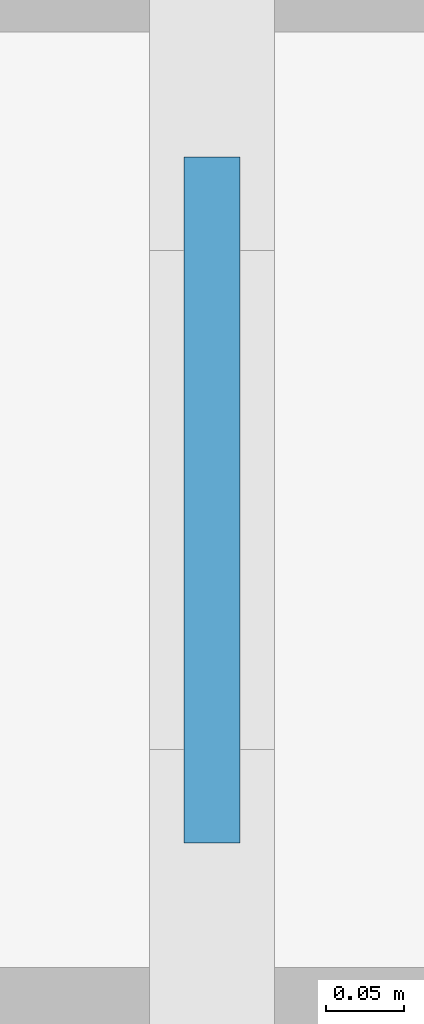
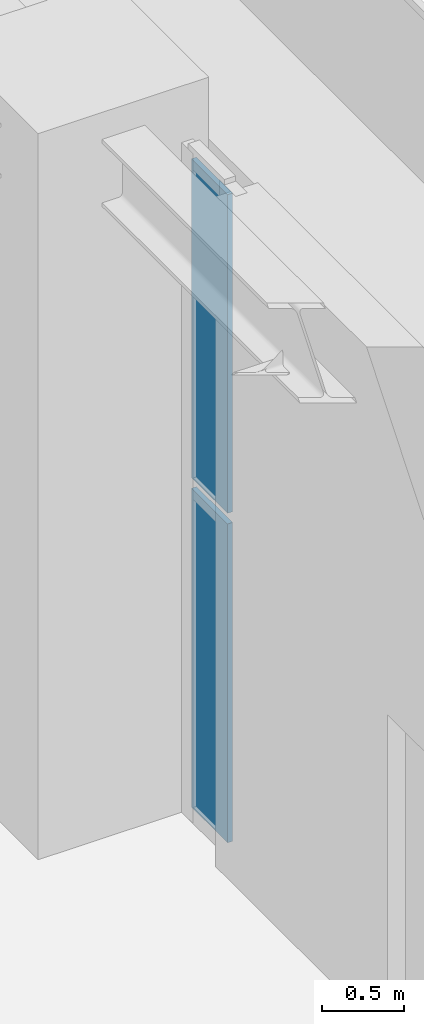
# One storey, part 19 of 36: 2 plates, 1 element without a shape of its own.
"""IFC4 building model written with IfcOpenShell, lengths in metres."""

import ifcopenshell
import ifcopenshell.guid

model = None  # the IFC model being written
_history = None  # IfcOwnerHistory: only IFC2X3 demands one
_inside = {}  # id of a spatial element -> (the spatial element, [elements in it])
_under = {}  # id of a project, library or spatial element -> (it, [spatial elements below it])
_declared = {}  # id of a project -> (the project, [libraries it declares])
_typed = {}  # id of a type object -> (the type object, [elements of that type])
_made_of = {}  # id of a material, layer set ... -> (it, [elements and type objects made of it])


def new_model(schema):
    """Start an empty IFC model of exactly this schema.

    Asked for "IFC4X3", IfcOpenShell would pick the latest addendum, in which some entities
    have other attributes; the version numbers below select the first issue.
    IFC2X3 requires an IfcOwnerHistory on every rooted entity: one is made here for all.
    """
    global model, _history
    if schema == "IFC4X3":
        model = ifcopenshell.file(schema_version=(4, 3, 0, 0))
    else:
        model = ifcopenshell.file(schema=schema)
    _inside.clear()
    _under.clear()
    _declared.clear()
    _typed.clear()
    _made_of.clear()
    _history = None
    if model.schema == "IFC2X3":
        org = make("IfcOrganization", Name="unknown")
        user = make(
            "IfcPersonAndOrganization",
            ThePerson=make("IfcPerson", FamilyName="unknown"),
            TheOrganization=org,
        )
        app = make(
            "IfcApplication",
            ApplicationDeveloper=org,
            Version="unknown",
            ApplicationFullName="unknown",
            ApplicationIdentifier="unknown",
        )
        _history = make(
            "IfcOwnerHistory",
            OwningUser=user,
            OwningApplication=app,
            ChangeAction="ADDED",
            CreationDate=0,
        )
    return model


def make(cls, **values):
    """One entity of the class cls with the attributes given. An attribute that is None is left unset."""
    return model.create_entity(
        cls, **{name: value for name, value in values.items() if value is not None}
    )


def rooted(cls, **values):
    """An entity with a GlobalId (a new one), such as an element, a storey or a relation."""
    return make(cls, GlobalId=ifcopenshell.guid.new(), OwnerHistory=_history, **values)


def si_unit(unit_type, name, prefix=None):
    """IfcSIUnit, for example si_unit("LENGTHUNIT", "METRE", prefix="MILLI")."""
    return make("IfcSIUnit", UnitType=unit_type, Prefix=prefix, Name=name)


def assignment(units):
    """IfcUnitAssignment: the units of a project."""
    return None if units is None else make("IfcUnitAssignment", Units=units)


def point(xyz):
    """IfcCartesianPoint."""
    return None if xyz is None else make("IfcCartesianPoint", Coordinates=xyz)


def direction(xyz):
    """IfcDirection."""
    return None if xyz is None else make("IfcDirection", DirectionRatios=xyz)


def frame(location, z_axis=None, x_axis=None):
    """IfcAxis2Placement3D, a coordinate frame: its origin and axes. An axis left out is left unset."""
    return make(
        "IfcAxis2Placement3D",
        Location=point(location),
        Axis=direction(z_axis),
        RefDirection=direction(x_axis),
    )


def frame_2d(location, x_axis=None):
    """IfcAxis2Placement2D, a coordinate frame in the plane: its origin and x axis."""
    return make(
        "IfcAxis2Placement2D", Location=point(location), RefDirection=direction(x_axis)
    )


def origin():
    """The frame at (0, 0, 0) with its axes left unset."""
    return frame((0.0, 0.0, 0.0))


def origin_2d():
    """The frame at (0, 0) in the plane with its x axis left unset."""
    return frame_2d((0.0, 0.0))


def place(relative_to, where):
    """IfcLocalPlacement: puts the frame where relative to a parent placement (None: the world)."""
    return make(
        "IfcLocalPlacement", PlacementRelTo=relative_to, RelativePlacement=where
    )


def context(
    kind, dimensions, precision=None, world=None, true_north=None, identifier=None
):
    """IfcGeometricRepresentationContext, for example the 3D "Model" context."""
    return make(
        "IfcGeometricRepresentationContext",
        ContextIdentifier=identifier,
        ContextType=kind,
        CoordinateSpaceDimension=dimensions,
        Precision=precision,
        WorldCoordinateSystem=world,
        TrueNorth=true_north,
    )


def subcontext(parent, identifier, kind, view, scale=None):
    """IfcGeometricRepresentationSubContext, for example "Body" below "Model"."""
    return make(
        "IfcGeometricRepresentationSubContext",
        ContextIdentifier=identifier,
        ContextType=kind,
        ParentContext=parent,
        TargetScale=scale,
        TargetView=view,
    )


def project(units=None, contexts=None):
    """IfcProject with its units and contexts."""
    return rooted(
        "IfcProject",
        Name="project",
        RepresentationContexts=contexts,
        UnitsInContext=assignment(units),
    )


def spatial(cls, under=None, at=None, **own):
    """A site, building, storey or space (cls), placed at a placement, below another one or the project."""
    s = rooted(cls, ObjectPlacement=at, **own)
    if under is not None:
        _under.setdefault(under.id(), (under, []))[1].append(s)
    return s


def profile(cls, at=None, kind="AREA", **sizes):
    """A parametric profile (cls). Its sizes go by their IFC names, for example OverallWidth=200.0."""
    return make(cls, ProfileType=kind, Position=at, **sizes)


def rectangle(**sizes):
    """IfcRectangleProfileDef."""
    return profile("IfcRectangleProfileDef", **sizes)


def extrude(swept, where, along, depth):
    """IfcExtrudedAreaSolid: the profile swept, set in the frame where, extruded along a direction by depth."""
    return make(
        "IfcExtrudedAreaSolid",
        SweptArea=swept,
        Position=where,
        ExtrudedDirection=direction(along),
        Depth=depth,
    )


def shape(context_of_items, identifier, shape_type, items):
    """IfcShapeRepresentation: the items that make up one representation, for example the "Body"."""
    return make(
        "IfcShapeRepresentation",
        ContextOfItems=context_of_items,
        RepresentationIdentifier=identifier,
        RepresentationType=shape_type,
        Items=items,
    )


def material(Name=None, Category=None):
    """IfcMaterial."""
    return make("IfcMaterial", Name=Name, Category=Category)


def layer(
    of_material, thickness, ventilated=None, Name=None, Category=None, Priority=None
):
    """IfcMaterialLayer: one layer of a wall or slab, of a material (None: an air gap)."""
    return make(
        "IfcMaterialLayer",
        Material=of_material,
        LayerThickness=thickness,
        IsVentilated=ventilated,
        Name=Name,
        Category=Category,
        Priority=Priority,
    )


def layer_set(layers, Name=None):
    """IfcMaterialLayerSet."""
    return make("IfcMaterialLayerSet", MaterialLayers=layers, LayerSetName=Name)


def made_of(thing, what):
    """Note that an element or type object is made of a material, layer set ...; save() writes the relation."""
    if what is not None:
        _made_of.setdefault(what.id(), (what, []))[1].append(thing)
    return thing


def type_object(cls, material=None, **own):
    """A type object (cls), such as IfcWallType, which elements share."""
    return made_of(rooted(cls, **own), material)


def element(
    cls,
    number,
    at=None,
    inside=None,
    cuts=None,
    type_object=None,
    material=None,
    context=None,
    identifier="Body",
    shape_type=None,
    held_by="IfcProductDefinitionShape",
    body=None,
    shapes=None,
    **own,
):
    """One element of the class cls, such as IfcWall. Its Tag is "e" and its number.

    at: its placement. inside: the storey or other place that contains it. cuts: it is an
    opening in that element (IfcRelVoidsElement). A single representation is given by context,
    identifier, shape_type and body (its items); several are given by shapes. held_by: the class
    of the entity that holds the representations. save() writes the other relations.
    """
    e = rooted(cls, Tag="e%d" % number, ObjectPlacement=at, **own)
    if body is not None:
        shapes = [shape(context, identifier, shape_type, body)]
    if shapes is not None:
        e.Representation = make(held_by, Representations=shapes)
    if inside is not None:
        _inside.setdefault(inside.id(), (inside, []))[1].append(e)
    if cuts is not None:
        rooted(
            "IfcRelVoidsElement", RelatingBuildingElement=cuts, RelatedOpeningElement=e
        )
    if type_object is not None:
        _typed.setdefault(type_object.id(), (type_object, []))[1].append(e)
    return made_of(e, material)


def aggregate(whole, parts):
    """IfcRelAggregates: a whole, such as a stair, and the parts it consists of."""
    return rooted("IfcRelAggregates", RelatingObject=whole, RelatedObjects=parts)


def save(model, path):
    """Write the relations noted so far, then the file.

    IfcRelAggregates (storeys below a building ...), IfcRelContainedInSpatialStructure (elements
    in a storey), IfcRelDefinesByType, IfcRelAssociatesMaterial and IfcRelDeclares: one each for
    every whole, place, type object, material and project.
    """
    for whole, parts in _under.values():
        aggregate(whole, parts)
    for where, things in _inside.values():
        rooted(
            "IfcRelContainedInSpatialStructure",
            RelatedElements=things,
            RelatingStructure=where,
        )
    for kind, things in _typed.values():
        rooted("IfcRelDefinesByType", RelatedObjects=things, RelatingType=kind)
    for what, things in _made_of.values():
        rooted("IfcRelAssociatesMaterial", RelatedObjects=things, RelatingMaterial=what)
    for by, libraries in _declared.values():
        rooted("IfcRelDeclares", RelatingContext=by, RelatedDefinitions=libraries)
    model.write(path)


model = new_model("IFC4")

# Units and contexts
model_context = context("Model", 3, precision=1e-05, world=origin(), true_north=direction((0.0, 1.0)))
body_context = subcontext(model_context, "Body", "Model", "MODEL_VIEW")
ifc_project = project(units=[si_unit("LENGTHUNIT", "METRE"), si_unit("AREAUNIT", "SQUARE_METRE"), si_unit("VOLUMEUNIT", "CUBIC_METRE"), si_unit("PLANEANGLEUNIT", "RADIAN"), si_unit("MASSUNIT", "GRAM", prefix="KILO")], contexts=[model_context])

# Site, building, storey
site_placement = place(None, origin())
site = spatial("IfcSite", under=ifc_project, at=site_placement, CompositionType="ELEMENT")
building_placement = place(site_placement, origin())
building = spatial("IfcBuilding", under=site, at=building_placement, Name="Khepri Terraces", CompositionType="ELEMENT")
storey_placement = place(building_placement, frame((0.0, 0.0, 16.800048828125)))
storey = spatial("IfcBuildingStorey", under=building, at=storey_placement, Name="L03", CompositionType="ELEMENT", Elevation=16.800048828125)

# Curtain wall, plates
ifc_material_1 = material(Name="Anodised aluminium bronze curtain wall", Category="aluminium")
curtain_wall_type = type_object("IfcCurtainWallType", Name="CW-SYS5-BALLROOM", PredefinedType="NOTDEFINED", material=ifc_material_1)
curtain_wall_placement = place(storey_placement, origin())
curtain_wall = element("IfcCurtainWall", 1, at=curtain_wall_placement, inside=storey, type_object=curtain_wall_type, Name="Curtain wall CW5 L03 E", PredefinedType="NOTDEFINED")
ifc_material_2 = material(Name="Clear glass", Category="glass")
ifc_layer = layer(ifc_material_2, 0.035888671875, Name="Clear glass", Category="glass")
ifc_layer_set = layer_set([ifc_layer], Name="Clear glass")
plate_type = type_object("IfcPlateType", Name="CW-PANEL-VISION-36", PredefinedType="CURTAIN_PANEL", material=ifc_layer_set)
plate_1_placement = place(storey_placement, frame((34.050048828125, 15.89990234375, 0.079833984375), z_axis=(0.0, 0.0, 1.0), x_axis=(0.0, 1.0, 0.0)))
plate_1 = element("IfcPlate", 2, at=plate_1_placement, type_object=plate_type, Name="CW5 panel 1.1", PredefinedType="CURTAIN_PANEL", context=body_context, shape_type="SweptSolid", body=[
    extrude(rectangle(XDim=0.43994140625, YDim=0.035888671875, at=origin_2d()), origin(), (0.0, 0.0, 1.0), 2.3701171875),
])
plate_2_placement = place(storey_placement, frame((34.050048828125, 15.89990234375, 2.52978515625), z_axis=(0.0, 0.0, 1.0), x_axis=(0.0, 1.0, 0.0)))
plate_2 = element("IfcPlate", 3, at=plate_2_placement, type_object=plate_type, Name="CW5 panel 1.2", PredefinedType="CURTAIN_PANEL", context=body_context, shape_type="SweptSolid", body=[
    extrude(rectangle(XDim=0.43994140625, YDim=0.035888671875, at=origin_2d()), origin(), (0.0, 0.0, 1.0), 2.3701171875),
])
aggregate(curtain_wall, [plate_1, plate_2])

save(model, "model.ifc")
